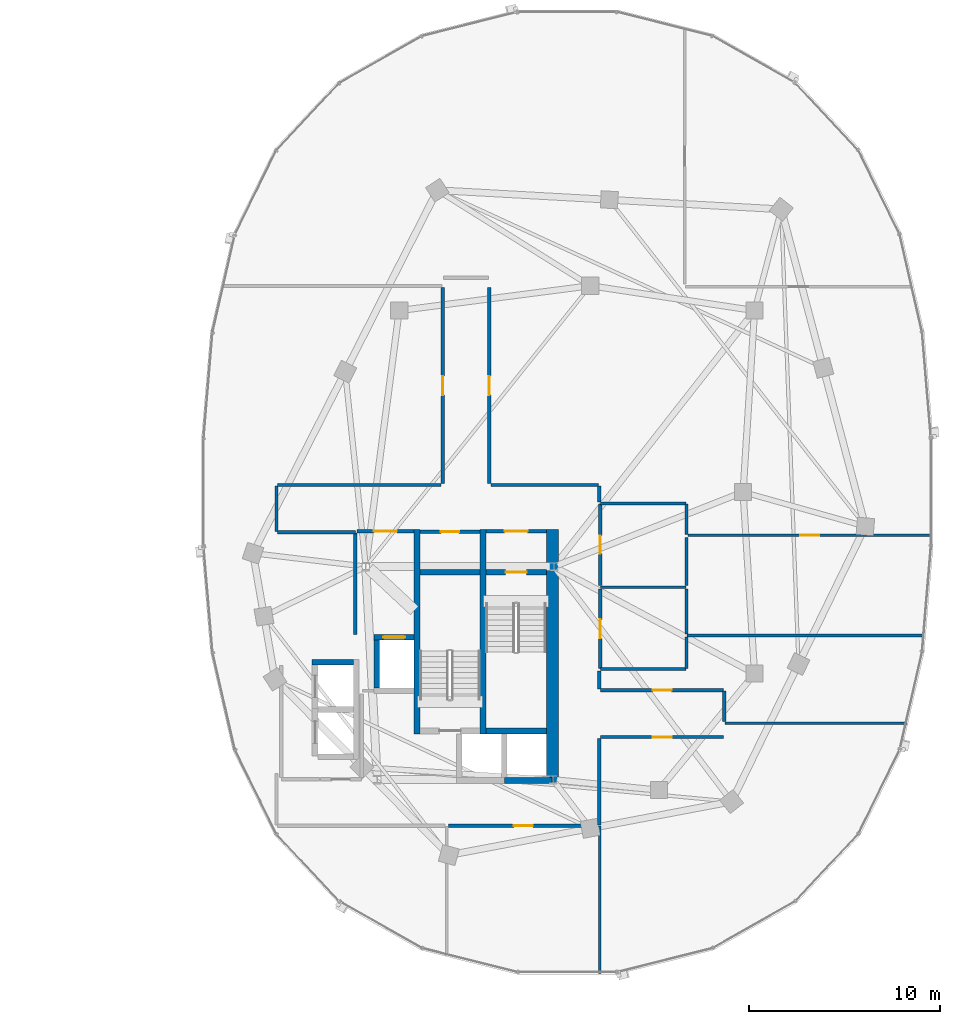
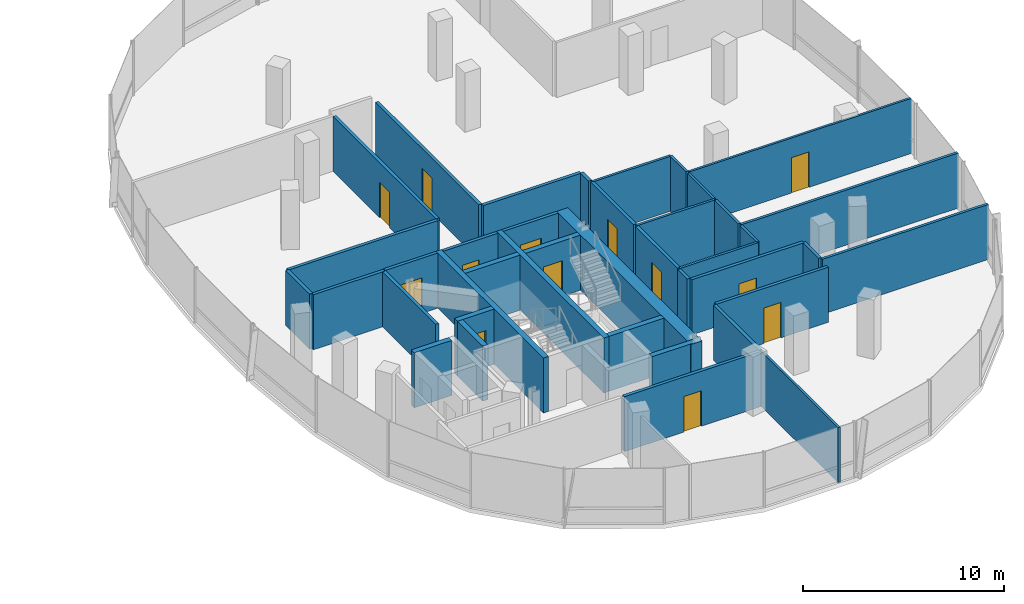
# One storey, part 17 of 25: 40 walls, 13 doors, 13 openings.
"""IFC4 building model written with IfcOpenShell, lengths in metres."""

from ifc_helpers import new_model, si_unit, direction, frame, frame_2d, origin, place, context, subcontext, project, spatial, rectangle, extrude, material, layer, layer_set, type_object, element, fill, save


model = new_model("IFC4")

# Units and contexts
model_context = context("Model", 3, precision=1e-05, world=origin(), true_north=direction((0.0, 1.0)))
body_context = subcontext(model_context, "Body", "Model", "MODEL_VIEW")
ifc_project = project(units=[si_unit("LENGTHUNIT", "METRE"), si_unit("AREAUNIT", "SQUARE_METRE"), si_unit("VOLUMEUNIT", "CUBIC_METRE"), si_unit("PLANEANGLEUNIT", "RADIAN"), si_unit("MASSUNIT", "GRAM", prefix="KILO"), si_unit("THERMODYNAMICTEMPERATUREUNIT", "KELVIN"), si_unit("POWERUNIT", "WATT")], contexts=[model_context])

# Site, building, storey
site_placement = place(None, origin())
site = spatial("IfcSite", under=ifc_project, at=site_placement, CompositionType="ELEMENT")
building_placement = place(site_placement, origin())
building = spatial("IfcBuilding", under=site, at=building_placement, Name="Cundina Bronze Exchange", CompositionType="ELEMENT")
storey_placement = place(building_placement, frame((0.0, 0.0, 213.39990234375)))
storey = spatial("IfcBuildingStorey", under=building, at=storey_placement, Name="L56", CompositionType="ELEMENT", Elevation=213.39990234375)

# Wall
ifc_material_1 = material(Name="Gypsum Fireboard Partition EI120")
ifc_layer_1 = layer(ifc_material_1, 0.179931640625, Name="Gypsum Fireboard Partition EI120")
ifc_layer_set_1 = layer_set([ifc_layer_1], Name="Gypsum Fireboard Partition EI120")
wall_type_1 = type_object("IfcWallType", Name="WL-COR-180", PredefinedType="PARTITIONING", material=ifc_layer_set_1)
wall_1_placement = place(storey_placement, frame((20.889892578125, -7.449951171875, 0.0), z_axis=(0.0, 0.0, 1.0), x_axis=(0.0, 1.0, 0.0)))
element("IfcWall", 1, at=wall_1_placement, inside=storey, type_object=wall_type_1, Name="L56 E Firefighting Lobby Side Wall", PredefinedType="PARTITIONING", context=body_context, shape_type="SweptSolid", body=[
    extrude(rectangle(XDim=5.300048828125, YDim=0.179931640625, at=frame_2d((2.64990234375, 0.0))), origin(), (0.0, 0.0, 1.0), 3.340087890625),
])

# Wall, opening, door
wall_2_placement = place(storey_placement, frame((20.97998046875, -2.06005859375, 0.0), z_axis=(0.0, 0.0, 1.0), x_axis=(1.0, 0.0, 0.0)))
wall_2 = element("IfcWall", 2, at=wall_2_placement, inside=storey, type_object=wall_type_1, Name="L56 E Firefighting Lobby Exit Wall", PredefinedType="PARTITIONING", context=body_context, shape_type="SweptSolid", body=[
    extrude(rectangle(XDim=3.0, YDim=0.179931640625, at=frame_2d((1.5, 0.0))), origin(), (0.0, 0.0, 1.0), 3.340087890625),
])
opening_1_placement = place(wall_2_placement, frame((0.89990234375, 0.0, 0.0)))
opening_1 = element("IfcOpeningElement", 3, at=opening_1_placement, cuts=wall_2, Name="Opening DF-01", PredefinedType="OPENING", context=body_context, shape_type="SweptSolid", body=[
    extrude(rectangle(XDim=1.199951171875, YDim=2.14990234375, at=frame_2d((0.60009765625, 1.074951171875))), frame((0.0, 0.099853515625, 0.0), z_axis=(0.0, -1.0, 0.0), x_axis=(1.0, 0.0, 0.0)), (0.0, 0.0, 1.0), 0.199951171875),
])
ifc_material_2 = material(Name="Steel ASTM A36 Painted", Category="steel")
door_type_1 = type_object("IfcDoorType", Name="DR-FFL-1200", OperationType="NOTDEFINED", PredefinedType="DOOR", material=ifc_material_2)
door_1_placement = place(opening_1_placement, origin())
door_1 = element("IfcDoor", 4, at=door_1_placement, inside=storey, type_object=door_type_1, Name="L56 E Firefighting Lobby Door", OperationType="SINGLE_SWING_LEFT", OverallHeight=2.14990234375, OverallWidth=1.199951171875, PredefinedType="DOOR", context=body_context, shape_type="SweptSolid", body=[
    extrude(rectangle(XDim=1.199951171875, YDim=2.14990234375, at=frame_2d((0.60009765625, 1.074951171875))), frame((0.0, 0.02490234375, 0.0), z_axis=(0.0, -1.0, 0.0), x_axis=(1.0, 0.0, 0.0)), (0.0, 0.0, 1.0), 0.050048828125),
])
fill(opening_1, door_1)

wall_3_placement = place(storey_placement, frame((27.739990234375, -2.06005859375, 0.0), z_axis=(0.0, 0.0, 1.0), x_axis=(1.0, 0.0, 0.0)))
wall_3 = element("IfcWall", 5, at=wall_3_placement, inside=storey, type_object=wall_type_1, Name="L56 E Stair Vestibule Exit Wall", PredefinedType="PARTITIONING", context=body_context, shape_type="SweptSolid", body=[
    extrude(rectangle(XDim=3.159912109375, YDim=0.179931640625, at=frame_2d((1.580078125, 0.0))), origin(), (0.0, 0.0, 1.0), 3.340087890625),
])
opening_2_placement = place(wall_3_placement, frame((0.97998046875, 0.0, 0.0)))
opening_2 = element("IfcOpeningElement", 6, at=opening_2_placement, cuts=wall_3, Name="Opening DF-01", PredefinedType="OPENING", context=body_context, shape_type="SweptSolid", body=[
    extrude(rectangle(XDim=1.199951171875, YDim=2.14990234375, at=frame_2d((0.60009765625, 1.074951171875))), frame((0.0, 0.099853515625, 0.0), z_axis=(0.0, -1.0, 0.0), x_axis=(1.0, 0.0, 0.0)), (0.0, 0.0, 1.0), 0.199951171875),
])
door_2_placement = place(opening_2_placement, origin())
door_2 = element("IfcDoor", 7, at=door_2_placement, inside=storey, type_object=door_type_1, Name="L56 E Stair Vestibule Door", OperationType="SINGLE_SWING_RIGHT", OverallHeight=2.14990234375, OverallWidth=1.199951171875, PredefinedType="DOOR", context=body_context, shape_type="SweptSolid", body=[
    extrude(rectangle(XDim=1.199951171875, YDim=2.14990234375, at=frame_2d((0.60009765625, 1.074951171875))), frame((0.0, 0.02490234375, 0.0), z_axis=(0.0, -1.0, 0.0), x_axis=(1.0, 0.0, 0.0)), (0.0, 0.0, 1.0), 0.050048828125),
])
fill(opening_2, door_2)

wall_4_placement = place(storey_placement, frame((24.300048828125, -2.070068359375, 0.0), z_axis=(0.0, 0.0, 1.0), x_axis=(1.0, 0.0, 0.0)))
wall_4 = element("IfcWall", 8, at=wall_4_placement, inside=storey, type_object=wall_type_1, Name="L56 Interior Partition 043", PredefinedType="PARTITIONING", context=body_context, shape_type="SweptSolid", body=[
    extrude(rectangle(XDim=3.119873046875, YDim=0.179931640625, at=frame_2d((1.56005859375, 0.0))), origin(), (0.0, 0.0, 1.0), 3.340087890625),
])
opening_3_placement = place(wall_4_placement, frame((1.0849609375, 0.0, 0.0)))
opening_3 = element("IfcOpeningElement", 9, at=opening_3_placement, cuts=wall_4, Name="Opening DW-01", PredefinedType="OPENING", context=body_context, shape_type="SweptSolid", body=[
    extrude(rectangle(XDim=0.949951171875, YDim=2.10009765625, at=frame_2d((0.47509765625, 1.050048828125))), frame((0.0, 0.099853515625, 0.0), z_axis=(0.0, -1.0, 0.0), x_axis=(1.0, 0.0, 0.0)), (0.0, 0.0, 1.0), 0.199951171875),
])
ifc_material_3 = material(Name="Solid Andean Oak Timber Grade A", Category="wood")
door_type_2 = type_object("IfcDoorType", Name="DR-WC-950", OperationType="NOTDEFINED", PredefinedType="DOOR", material=ifc_material_3)
door_3_placement = place(opening_3_placement, origin())
door_3 = element("IfcDoor", 10, at=door_3_placement, inside=storey, type_object=door_type_2, Name="L56 Interior Door 043", OperationType="SINGLE_SWING_RIGHT", OverallHeight=2.10009765625, OverallWidth=0.949951171875, PredefinedType="DOOR", context=body_context, shape_type="SweptSolid", body=[
    extrude(rectangle(XDim=0.949951171875, YDim=2.10009765625, at=frame_2d((0.47509765625, 1.050048828125))), frame((0.0, 0.02490234375, 0.0), z_axis=(0.0, -1.0, 0.0), x_axis=(1.0, 0.0, 0.0)), (0.0, 0.0, 1.0), 0.050048828125),
])
fill(opening_3, door_3)

wall_5_placement = place(storey_placement, frame((33.719970703125, -4.8798828125, 0.0), z_axis=(0.0, 0.0, 1.0), x_axis=(0.0, 1.0, 0.0)))
wall_5 = element("IfcWall", 11, at=wall_5_placement, inside=storey, type_object=wall_type_1, Name="L56 Interior Partition 051", PredefinedType="PARTITIONING", context=body_context, shape_type="SweptSolid", body=[
    extrude(rectangle(XDim=4.259765625, YDim=0.179931640625, at=frame_2d((2.1298828125, 0.0))), origin(), (0.0, 0.0, 1.0), 3.340087890625),
])
opening_4_placement = place(wall_5_placement, frame((1.655029296875, 0.0, 0.0)))
opening_4 = element("IfcOpeningElement", 12, at=opening_4_placement, cuts=wall_5, Name="Opening DW-01", PredefinedType="OPENING", context=body_context, shape_type="SweptSolid", body=[
    extrude(rectangle(XDim=0.949951171875, YDim=2.10009765625, at=frame_2d((0.47509765625, 1.050048828125))), frame((0.0, 0.099853515625, 0.0), z_axis=(0.0, -1.0, 0.0), x_axis=(1.0, 0.0, 0.0)), (0.0, 0.0, 1.0), 0.199951171875),
])
door_4_placement = place(opening_4_placement, origin())
door_4 = element("IfcDoor", 13, at=door_4_placement, inside=storey, type_object=door_type_2, Name="L56 Interior Door 051", OperationType="SINGLE_SWING_RIGHT", OverallHeight=2.10009765625, OverallWidth=0.949951171875, PredefinedType="DOOR", context=body_context, shape_type="SweptSolid", body=[
    extrude(rectangle(XDim=0.949951171875, YDim=2.10009765625, at=frame_2d((0.47509765625, 1.050048828125))), frame((0.0, 0.02490234375, 0.0), z_axis=(0.0, -1.0, 0.0), x_axis=(1.0, 0.0, 0.0)), (0.0, 0.0, 1.0), 0.050048828125),
])
fill(opening_4, door_4)

wall_6_placement = place(storey_placement, frame((33.719970703125, -9.239990234375, 0.0), z_axis=(0.0, 0.0, 1.0), x_axis=(0.0, 1.0, 0.0)))
wall_6 = element("IfcWall", 14, at=wall_6_placement, inside=storey, type_object=wall_type_1, Name="L56 Interior Partition 052", PredefinedType="PARTITIONING", context=body_context, shape_type="SweptSolid", body=[
    extrude(rectangle(XDim=4.159912109375, YDim=0.179931640625, at=frame_2d((2.080078125, 0.0))), origin(), (0.0, 0.0, 1.0), 3.340087890625),
])
opening_5_placement = place(wall_6_placement, frame((1.580078125, 0.0, 0.0)))
opening_5 = element("IfcOpeningElement", 15, at=opening_5_placement, cuts=wall_6, Name="Opening DO-01", PredefinedType="OPENING", context=body_context, shape_type="SweptSolid", body=[
    extrude(rectangle(XDim=1.0, YDim=2.14990234375, at=frame_2d((0.5, 1.074951171875))), frame((0.0, 0.099853515625, 0.0), z_axis=(0.0, -1.0, 0.0), x_axis=(1.0, 0.0, 0.0)), (0.0, 0.0, 1.0), 0.199951171875),
])
door_type_3 = type_object("IfcDoorType", Name="DR-OFF-1000", OperationType="NOTDEFINED", PredefinedType="DOOR", material=ifc_material_3)
door_5_placement = place(opening_5_placement, origin())
door_5 = element("IfcDoor", 16, at=door_5_placement, inside=storey, type_object=door_type_3, Name="L56 Interior Door 052", OperationType="SINGLE_SWING_RIGHT", OverallHeight=2.14990234375, OverallWidth=1.0, PredefinedType="DOOR", context=body_context, shape_type="SweptSolid", body=[
    extrude(rectangle(XDim=1.0, YDim=2.14990234375, at=frame_2d((0.5, 1.074951171875))), frame((0.0, 0.02490234375, 0.0), z_axis=(0.0, -1.0, 0.0), x_axis=(1.0, 0.0, 0.0)), (0.0, 0.0, 1.0), 0.050048828125),
])
fill(opening_5, door_5)

wall_7_placement = place(storey_placement, frame((25.7900390625, -17.469970703125, 0.0), z_axis=(0.0, 0.0, 1.0), x_axis=(1.0, 0.0, 0.0)))
wall_7 = element("IfcWall", 17, at=wall_7_placement, inside=storey, type_object=wall_type_1, Name="L56 Interior Partition 058", PredefinedType="PARTITIONING", context=body_context, shape_type="SweptSolid", body=[
    extrude(rectangle(XDim=7.820068359375, YDim=0.179931640625, at=frame_2d((3.91015625, 0.0))), origin(), (0.0, 0.0, 1.0), 3.340087890625),
])
opening_6_placement = place(wall_7_placement, frame((3.409912109375, 0.0, 0.0)))
opening_6 = element("IfcOpeningElement", 18, at=opening_6_placement, cuts=wall_7, Name="Opening DO-01", PredefinedType="OPENING", context=body_context, shape_type="SweptSolid", body=[
    extrude(rectangle(XDim=1.0, YDim=2.14990234375, at=frame_2d((0.5, 1.074951171875))), frame((0.0, 0.099853515625, 0.0), z_axis=(0.0, -1.0, 0.0), x_axis=(1.0, 0.0, 0.0)), (0.0, 0.0, 1.0), 0.199951171875),
])
door_6_placement = place(opening_6_placement, origin())
door_6 = element("IfcDoor", 19, at=door_6_placement, inside=storey, type_object=door_type_3, Name="L56 Interior Door 058", OperationType="SINGLE_SWING_LEFT", OverallHeight=2.14990234375, OverallWidth=1.0, PredefinedType="DOOR", context=body_context, shape_type="SweptSolid", body=[
    extrude(rectangle(XDim=1.0, YDim=2.14990234375, at=frame_2d((0.5, 1.074951171875))), frame((0.0, 0.02490234375, 0.0), z_axis=(0.0, -1.0, 0.0), x_axis=(1.0, 0.0, 0.0)), (0.0, 0.0, 1.0), 0.050048828125),
])
fill(opening_6, door_6)

wall_8_placement = place(storey_placement, frame((33.75, -12.820068359375, 0.0), z_axis=(0.0, 0.0, 1.0), x_axis=(1.0, 0.0, 0.0)))
wall_8 = element("IfcWall", 20, at=wall_8_placement, inside=storey, type_object=wall_type_1, Name="L56 Interior Partition 059", PredefinedType="PARTITIONING", context=body_context, shape_type="SweptSolid", body=[
    extrude(rectangle(XDim=6.428466796875, YDim=0.179931640625, at=frame_2d((3.21435546875, 0.0))), origin(), (0.0, 0.0, 1.0), 3.340087890625),
])
opening_7_placement = place(wall_8_placement, frame((2.714111328125, 0.0, 0.0)))
opening_7 = element("IfcOpeningElement", 21, at=opening_7_placement, cuts=wall_8, Name="Opening DO-01", PredefinedType="OPENING", context=body_context, shape_type="SweptSolid", body=[
    extrude(rectangle(XDim=1.0, YDim=2.14990234375, at=frame_2d((0.5, 1.074951171875))), frame((0.0, 0.099853515625, 0.0), z_axis=(0.0, -1.0, 0.0), x_axis=(1.0, 0.0, 0.0)), (0.0, 0.0, 1.0), 0.199951171875),
])
door_7_placement = place(opening_7_placement, origin())
door_7 = element("IfcDoor", 22, at=door_7_placement, inside=storey, type_object=door_type_3, Name="L56 Interior Door 059", OperationType="SINGLE_SWING_LEFT", OverallHeight=2.14990234375, OverallWidth=1.0, PredefinedType="DOOR", context=body_context, shape_type="SweptSolid", body=[
    extrude(rectangle(XDim=1.0, YDim=2.14990234375, at=frame_2d((0.5, 1.074951171875))), frame((0.0, 0.02490234375, 0.0), z_axis=(0.0, -1.0, 0.0), x_axis=(1.0, 0.0, 0.0)), (0.0, 0.0, 1.0), 0.050048828125),
])
fill(opening_7, door_7)

# Wall
wall_9_placement = place(storey_placement, frame((33.669921875, -17.429931640625, 0.0), z_axis=(0.0, 0.0, 1.0), x_axis=(0.0, 1.0, 0.0)))
element("IfcWall", 23, at=wall_9_placement, inside=storey, type_object=wall_type_1, Name="L56 Interior Partition 060", PredefinedType="PARTITIONING", context=body_context, shape_type="SweptSolid", body=[
    extrude(rectangle(XDim=4.530029296875, YDim=0.179931640625, at=frame_2d((2.26513671875, 0.0))), origin(), (0.0, 0.0, 1.0), 3.340087890625),
])

# Wall, opening, door
wall_10_placement = place(storey_placement, frame((40.178466796875, -10.3798828125, 0.0), z_axis=(0.0, 0.0, 1.0), x_axis=(-1.0, 0.0, 0.0)))
wall_10 = element("IfcWall", 24, at=wall_10_placement, inside=storey, type_object=wall_type_1, Name="L56 Interior Partition 061", PredefinedType="PARTITIONING", context=body_context, shape_type="SweptSolid", body=[
    extrude(rectangle(XDim=6.428466796875, YDim=0.179931640625, at=frame_2d((3.21435546875, 0.0))), origin(), (0.0, 0.0, 1.0), 3.340087890625),
])
opening_8_placement = place(wall_10_placement, frame((2.714111328125, 0.0, 0.0)))
opening_8 = element("IfcOpeningElement", 25, at=opening_8_placement, cuts=wall_10, Name="Opening DO-01", PredefinedType="OPENING", context=body_context, shape_type="SweptSolid", body=[
    extrude(rectangle(XDim=1.0, YDim=2.14990234375, at=frame_2d((0.5, 1.074951171875))), frame((0.0, 0.099853515625, 0.0), z_axis=(0.0, -1.0, 0.0), x_axis=(1.0, 0.0, 0.0)), (0.0, 0.0, 1.0), 0.199951171875),
])
door_8_placement = place(opening_8_placement, origin())
door_8 = element("IfcDoor", 26, at=door_8_placement, inside=storey, type_object=door_type_3, Name="L56 Interior Door 061", OperationType="SINGLE_SWING_RIGHT", OverallHeight=2.14990234375, OverallWidth=1.0, PredefinedType="DOOR", context=body_context, shape_type="SweptSolid", body=[
    extrude(rectangle(XDim=1.0, YDim=2.14990234375, at=frame_2d((0.5, 1.074951171875))), frame((0.0, 0.02490234375, 0.0), z_axis=(0.0, -1.0, 0.0), x_axis=(1.0, 0.0, 0.0)), (0.0, 0.0, 1.0), 0.050048828125),
])
fill(opening_8, door_8)

# Walls
wall_11_placement = place(storey_placement, frame((40.219970703125, -12.010009765625, 0.0), z_axis=(0.0, 0.0, 1.0), x_axis=(0.0, 1.0, 0.0)))
element("IfcWall", 27, at=wall_11_placement, inside=storey, type_object=wall_type_1, Name="L56 Interior Partition 062", PredefinedType="PARTITIONING", context=body_context, shape_type="SweptSolid", body=[
    extrude(rectangle(XDim=1.588623046875, YDim=0.179931640625, at=frame_2d((0.79443359375, 0.0))), origin(), (0.0, 0.0, 1.0), 3.340087890625),
])
wall_12_placement = place(storey_placement, frame((33.669921875, -10.300048828125, 0.0), z_axis=(0.0, 0.0, 1.0), x_axis=(0.0, 1.0, 0.0)))
element("IfcWall", 28, at=wall_12_placement, inside=storey, type_object=wall_type_1, Name="L56 Interior Partition 063", PredefinedType="PARTITIONING", context=body_context, shape_type="SweptSolid", body=[
    extrude(rectangle(XDim=0.94873046875, YDim=0.179931640625, at=frame_2d((0.474365234375, 0.0))), origin(), (0.0, 0.0, 1.0), 3.340087890625),
])

# Wall, opening, door
wall_13_placement = place(storey_placement, frame((25.47998046875, 10.699951171875, 0.0), z_axis=(0.0, 0.0, 1.0), x_axis=(0.0, -1.0, 0.0)))
wall_13 = element("IfcWall", 29, at=wall_13_placement, inside=storey, type_object=wall_type_1, Name="L56 Interior Partition 064", PredefinedType="PARTITIONING", context=body_context, shape_type="SweptSolid", body=[
    extrude(rectangle(XDim=10.25, YDim=0.179931640625, at=frame_2d((5.125, 0.0))), origin(), (0.0, 0.0, 1.0), 3.340087890625),
])
opening_9_placement = place(wall_13_placement, frame((4.625, 0.0, 0.0)))
opening_9 = element("IfcOpeningElement", 30, at=opening_9_placement, cuts=wall_13, Name="Opening DO-01", PredefinedType="OPENING", context=body_context, shape_type="SweptSolid", body=[
    extrude(rectangle(XDim=1.0, YDim=2.14990234375, at=frame_2d((0.5, 1.074951171875))), frame((0.0, 0.099853515625, 0.0), z_axis=(0.0, -1.0, 0.0), x_axis=(1.0, 0.0, 0.0)), (0.0, 0.0, 1.0), 0.199951171875),
])
door_9_placement = place(opening_9_placement, origin())
door_9 = element("IfcDoor", 31, at=door_9_placement, inside=storey, type_object=door_type_3, Name="L56 Interior Door 064", OperationType="SINGLE_SWING_LEFT", OverallHeight=2.14990234375, OverallWidth=1.0, PredefinedType="DOOR", context=body_context, shape_type="SweptSolid", body=[
    extrude(rectangle(XDim=1.0, YDim=2.14990234375, at=frame_2d((0.5, 1.074951171875))), frame((0.0, 0.02490234375, 0.0), z_axis=(0.0, -1.0, 0.0), x_axis=(1.0, 0.0, 0.0)), (0.0, 0.0, 1.0), 0.050048828125),
])
fill(opening_9, door_9)

# Walls
wall_14_placement = place(storey_placement, frame((25.39990234375, 0.3701171875, 0.0), z_axis=(0.0, 0.0, 1.0), x_axis=(-1.0, 0.0, 0.0)))
element("IfcWall", 32, at=wall_14_placement, inside=storey, type_object=wall_type_1, Name="L56 Interior Partition 066", PredefinedType="PARTITIONING", context=body_context, shape_type="SweptSolid", body=[
    extrude(rectangle(XDim=8.578369140625, YDim=0.179931640625, at=frame_2d((4.2890625, 0.0))), origin(), (0.0, 0.0, 1.0), 3.340087890625),
])
wall_15_placement = place(storey_placement, frame((16.821533203125, -2.10009765625, 0.0), z_axis=(0.0, 0.0, 1.0), x_axis=(1.0, 0.0, 0.0)))
element("IfcWall", 33, at=wall_15_placement, inside=storey, type_object=wall_type_1, Name="L56 Interior Partition 067", PredefinedType="PARTITIONING", context=body_context, shape_type="SweptSolid", body=[
    extrude(rectangle(XDim=4.098388671875, YDim=0.179931640625, at=frame_2d((2.04931640625, 0.0))), origin(), (0.0, 0.0, 1.0), 3.340087890625),
])
wall_16_placement = place(storey_placement, frame((16.780029296875, 0.32861328125, 0.0), z_axis=(0.0, 0.0, 1.0), x_axis=(0.0, -1.0, 0.0)))
element("IfcWall", 34, at=wall_16_placement, inside=storey, type_object=wall_type_1, Name="L56 Interior Partition 069", PredefinedType="PARTITIONING", context=body_context, shape_type="SweptSolid", body=[
    extrude(rectangle(XDim=2.38720703125, YDim=0.179931640625, at=frame_2d((1.193603515625, 0.0))), origin(), (0.0, 0.0, 1.0), 3.340087890625),
])

# Wall, opening, door
wall_17_placement = place(storey_placement, frame((27.919921875, 0.449951171875, 0.0), z_axis=(0.0, 0.0, 1.0), x_axis=(0.0, 1.0, 0.0)))
wall_17 = element("IfcWall", 35, at=wall_17_placement, inside=storey, type_object=wall_type_1, Name="L56 Interior Partition 070", PredefinedType="PARTITIONING", context=body_context, shape_type="SweptSolid", body=[
    extrude(rectangle(XDim=10.25, YDim=0.179931640625, at=frame_2d((5.125, 0.0))), origin(), (0.0, 0.0, 1.0), 3.340087890625),
])
opening_10_placement = place(wall_17_placement, frame((4.625, 0.0, 0.0)))
opening_10 = element("IfcOpeningElement", 36, at=opening_10_placement, cuts=wall_17, Name="Opening DO-01", PredefinedType="OPENING", context=body_context, shape_type="SweptSolid", body=[
    extrude(rectangle(XDim=1.0, YDim=2.14990234375, at=frame_2d((0.5, 1.074951171875))), frame((0.0, 0.099853515625, 0.0), z_axis=(0.0, -1.0, 0.0), x_axis=(1.0, 0.0, 0.0)), (0.0, 0.0, 1.0), 0.199951171875),
])
door_10_placement = place(opening_10_placement, origin())
door_10 = element("IfcDoor", 37, at=door_10_placement, inside=storey, type_object=door_type_3, Name="L56 Interior Door 070", OperationType="SINGLE_SWING_RIGHT", OverallHeight=2.14990234375, OverallWidth=1.0, PredefinedType="DOOR", context=body_context, shape_type="SweptSolid", body=[
    extrude(rectangle(XDim=1.0, YDim=2.14990234375, at=frame_2d((0.5, 1.074951171875))), frame((0.0, 0.02490234375, 0.0), z_axis=(0.0, -1.0, 0.0), x_axis=(1.0, 0.0, 0.0)), (0.0, 0.0, 1.0), 0.050048828125),
])
fill(opening_10, door_10)

# Walls
wall_18_placement = place(storey_placement, frame((33.62841796875, 0.3701171875, 0.0), z_axis=(0.0, 0.0, 1.0), x_axis=(-1.0, 0.0, 0.0)))
element("IfcWall", 38, at=wall_18_placement, inside=storey, type_object=wall_type_1, Name="L56 Interior Partition 071", PredefinedType="PARTITIONING", context=body_context, shape_type="SweptSolid", body=[
    extrude(rectangle(XDim=5.62841796875, YDim=0.179931640625, at=frame_2d((2.814208984375, 0.0))), origin(), (0.0, 0.0, 1.0), 3.340087890625),
])
wall_19_placement = place(storey_placement, frame((33.669921875, -0.508544921875, 0.0), z_axis=(0.0, 0.0, 1.0), x_axis=(0.0, 1.0, 0.0)))
element("IfcWall", 39, at=wall_19_placement, inside=storey, type_object=wall_type_1, Name="L56 Interior Partition 072", PredefinedType="PARTITIONING", context=body_context, shape_type="SweptSolid", body=[
    extrude(rectangle(XDim=0.837158203125, YDim=0.179931640625, at=frame_2d((0.41845703125, 0.0))), origin(), (0.0, 0.0, 1.0), 3.340087890625),
])
ifc_material_4 = material(Name="Concrete C50/60", Category="concrete")
ifc_layer_2 = layer(ifc_material_4, 0.64990234375, Name="Concrete C50/60", Category="concrete")
ifc_layer_set_2 = layer_set([ifc_layer_2], Name="Concrete C50/60")
wall_type_2 = type_object("IfcWallType", Name="WL-CORE-650", PredefinedType="SHEAR", material=ifc_layer_set_2)
wall_20_placement = place(storey_placement, frame((31.22509765625, -15.300048828125, 0.0), z_axis=(0.0, 0.0, 1.0), x_axis=(0.0, 1.0, 0.0)))
element("IfcWall", 40, at=wall_20_placement, inside=storey, type_object=wall_type_2, Name="L56 E Primary Core Shear Spine Wall", PredefinedType="SHEAR", context=body_context, shape_type="SweptSolid", body=[
    extrude(rectangle(XDim=13.330078125, YDim=0.64990234375, at=frame_2d((6.6650390625, 0.0))), origin(), (0.0, 0.0, 1.0), 3.340087890625),
])
ifc_material_5 = material(Name="Gypsum Acoustic Partition EI60")
ifc_layer_3 = layer(ifc_material_5, 0.125, Name="Gypsum Acoustic Partition EI60")
ifc_layer_set_3 = layer_set([ifc_layer_3], Name="Gypsum Acoustic Partition EI60")
wall_type_3 = type_object("IfcWallType", Name="WL-OFF-125", PredefinedType="PARTITIONING", material=ifc_layer_set_3)
wall_21_placement = place(storey_placement, frame((33.699951171875, -25.18994140625, 0.0), z_axis=(0.0, 0.0, 1.0), x_axis=(0.0, 1.0, 0.0)))
element("IfcWall", 41, at=wall_21_placement, inside=storey, type_object=wall_type_3, Name="L56 Interior Partition 057", PredefinedType="PARTITIONING", context=body_context, shape_type="SweptSolid", body=[
    extrude(rectangle(XDim=7.719970703125, YDim=0.125, at=frame_2d((3.85986328125, 0.0))), origin(), (0.0, 0.0, 1.0), 3.340087890625),
])

# Wall, opening, door
wall_22_placement = place(storey_placement, frame((38.320068359375, -2.25, 0.0), z_axis=(0.0, 0.0, 1.0), x_axis=(1.0, 0.0, 0.0)))
wall_22 = element("IfcWall", 42, at=wall_22_placement, inside=storey, type_object=wall_type_3, Name="L56 Interior Partition 074", PredefinedType="PARTITIONING", context=body_context, shape_type="SweptSolid", body=[
    extrude(rectangle(XDim=12.72900390625, YDim=0.125, at=frame_2d((6.364501953125, 0.0))), origin(), (0.0, 0.0, 1.0), 3.340087890625),
])
opening_11_placement = place(wall_22_placement, frame((5.864501953125, 0.0, 0.0)))
opening_11 = element("IfcOpeningElement", 43, at=opening_11_placement, cuts=wall_22, Name="Opening DO-01", PredefinedType="OPENING", context=body_context, shape_type="SweptSolid", body=[
    extrude(rectangle(XDim=1.0, YDim=2.14990234375, at=frame_2d((0.5, 1.074951171875))), frame((0.0, 0.072509765625, 0.0), z_axis=(0.0, -1.0, 0.0), x_axis=(1.0, 0.0, 0.0)), (0.0, 0.0, 1.0), 0.14501953125),
])
door_11_placement = place(opening_11_placement, origin())
door_11 = element("IfcDoor", 44, at=door_11_placement, inside=storey, type_object=door_type_3, Name="L56 Interior Door 074", OperationType="SINGLE_SWING_RIGHT", OverallHeight=2.14990234375, OverallWidth=1.0, PredefinedType="DOOR", context=body_context, shape_type="SweptSolid", body=[
    extrude(rectangle(XDim=1.0, YDim=2.14990234375, at=frame_2d((0.5, 1.074951171875))), frame((0.0, 0.02490234375, 0.0), z_axis=(0.0, -1.0, 0.0), x_axis=(1.0, 0.0, 0.0)), (0.0, 0.0, 1.0), 0.050048828125),
])
fill(opening_11, door_11)

# Walls
ifc_layer_4 = layer(ifc_material_4, 0.300048828125, Name="Concrete C50/60", Category="concrete")
ifc_layer_set_4 = layer_set([ifc_layer_4], Name="Concrete C50/60")
wall_type_4 = type_object("IfcWallType", Name="WL-SHFT-300", PredefinedType="SHEAR", material=ifc_layer_set_4)
for number, where, z_axis, x_axis, name in (
    (45, (27.590087890625, -12.64990234375, 0.0), (0.0, 0.0, 1.0), (0.0, 1.0, 0.0), "L56 E Stair Shaft Dividing Shear Wall"),
    (46, (24.1298828125, -12.64990234375, 0.0), (0.0, 0.0, 1.0), (0.0, 1.0, 0.0), "L56 E Stair 2 East Shear Wall"),
):
    element("IfcWall", number, at=place(storey_placement, frame(where, z_axis=z_axis, x_axis=x_axis)), inside=storey, type_object=wall_type_4, Name=name, PredefinedType="SHEAR", context=body_context, shape_type="SweptSolid", body=[
        extrude(rectangle(XDim=10.679931640625, YDim=0.300048828125, at=frame_2d((5.33984375, 0.0))), origin(), (0.0, 0.0, 1.0), 3.340087890625),
    ])

# Wall, opening, door
wall_23_placement = place(storey_placement, frame((27.739990234375, -4.199951171875, 0.0), z_axis=(0.0, 0.0, 1.0), x_axis=(1.0, 0.0, 0.0)))
wall_23 = element("IfcWall", 47, at=wall_23_placement, inside=storey, type_object=wall_type_4, Name="L56 Stair E1 Landing Wall", PredefinedType="SHEAR", context=body_context, shape_type="SweptSolid", body=[
    extrude(rectangle(XDim=3.159912109375, YDim=0.300048828125, at=frame_2d((1.580078125, 0.0))), origin(), (0.0, 0.0, 1.0), 3.340087890625),
])
opening_12_placement = place(wall_23_placement, frame((1.030029296875, 0.0, 0.0)))
opening_12 = element("IfcOpeningElement", 48, at=opening_12_placement, cuts=wall_23, Name="Opening DS-01", PredefinedType="OPENING", context=body_context, shape_type="SweptSolid", body=[
    extrude(rectangle(XDim=1.10009765625, YDim=2.14990234375, at=frame_2d((0.550048828125, 1.074951171875))), frame((0.0, 0.159912109375, 0.0), z_axis=(0.0, -1.0, 0.0), x_axis=(1.0, 0.0, 0.0)), (0.0, 0.0, 1.0), 0.320068359375),
])
door_type_4 = type_object("IfcDoorType", Name="DR-STR-1100", OperationType="NOTDEFINED", PredefinedType="DOOR", material=ifc_material_2)
door_12_placement = place(opening_12_placement, origin())
door_12 = element("IfcDoor", 49, at=door_12_placement, inside=storey, type_object=door_type_4, Name="L56 Smokeproof Stair E1 Door", OperationType="SINGLE_SWING_LEFT", OverallHeight=2.14990234375, OverallWidth=1.10009765625, PredefinedType="DOOR", context=body_context, shape_type="SweptSolid", body=[
    extrude(rectangle(XDim=1.10009765625, YDim=2.14990234375, at=frame_2d((0.550048828125, 1.074951171875))), frame((0.0, 0.02490234375, 0.0), z_axis=(0.0, -1.0, 0.0), x_axis=(1.0, 0.0, 0.0)), (0.0, 0.0, 1.0), 0.050048828125),
])
fill(opening_12, door_12)

# Walls
for number, where, z_axis, x_axis, name in (
    (50, (27.739990234375, -12.5, 0.0), (0.0, 0.0, 1.0), (1.0, 0.0, 0.0), "L56 Stair E1 Far Shaft Wall"),
    (51, (24.280029296875, -4.199951171875, 0.0), (0.0, 0.0, 1.0), (1.0, 0.0, 0.0), "L56 Stair E2 Far Shaft Wall"),
):
    element("IfcWall", number, at=place(storey_placement, frame(where, z_axis=z_axis, x_axis=x_axis)), inside=storey, type_object=wall_type_4, Name=name, PredefinedType="SHEAR", context=body_context, shape_type="SweptSolid", body=[
        extrude(rectangle(XDim=3.159912109375, YDim=0.300048828125, at=frame_2d((1.580078125, 0.0))), origin(), (0.0, 0.0, 1.0), 3.340087890625),
    ])

# Wall, opening, door
wall_24_placement = place(storey_placement, frame((21.8798828125, -7.60009765625, 0.0), z_axis=(0.0, 0.0, 1.0), x_axis=(1.0, 0.0, 0.0)))
wall_24 = element("IfcWall", 52, at=wall_24_placement, inside=storey, type_object=wall_type_4, Name="L56 FFL-E Hoistway Front Wall", PredefinedType="SHEAR", context=body_context, shape_type="SweptSolid", body=[
    extrude(rectangle(XDim=2.10009765625, YDim=0.300048828125, at=frame_2d((1.050048828125, 0.0))), origin(), (0.0, 0.0, 1.0), 3.340087890625),
])
opening_13_placement = place(wall_24_placement, frame((0.47509765625, 0.0, 0.0)))
opening_13 = element("IfcOpeningElement", 53, at=opening_13_placement, cuts=wall_24, Name="Opening LD-01", PredefinedType="OPENING", context=body_context, shape_type="SweptSolid", body=[
    extrude(rectangle(XDim=1.14990234375, YDim=2.199951171875, at=frame_2d((0.574951171875, 1.10009765625))), frame((0.0, 0.159912109375, 0.0), z_axis=(0.0, -1.0, 0.0), x_axis=(1.0, 0.0, 0.0)), (0.0, 0.0, 1.0), 0.320068359375),
])
door_type_5 = type_object("IfcDoorType", Name="DR-LND-1150", OperationType="NOTDEFINED", PredefinedType="TRAPDOOR", material=ifc_material_2)
door_13_placement = place(opening_13_placement, origin())
door_13 = element("IfcDoor", 54, at=door_13_placement, inside=storey, type_object=door_type_5, Name="L56 FFL-E Sliding Landing Door", OperationType="SLIDING_TO_LEFT", OverallHeight=2.199951171875, OverallWidth=1.14990234375, PredefinedType="TRAPDOOR", context=body_context, shape_type="SweptSolid", body=[
    extrude(rectangle(XDim=1.14990234375, YDim=2.199951171875, at=frame_2d((0.574951171875, 1.10009765625))), frame((0.0, 0.02490234375, 0.0), z_axis=(0.0, -1.0, 0.0), x_axis=(1.0, 0.0, 0.0)), (0.0, 0.0, 1.0), 0.050048828125),
])
fill(opening_13, door_13)

# Walls
for number, where, z_axis, x_axis, name in (
    (55, (22.030029296875, -10.25, 0.0), (0.0, 0.0, 1.0), (0.0, 1.0, 0.0), "L56 FFL-E Hoistway Side Wall"),
    (56, (28.699951171875, -15.10009765625, 0.0), (0.0, 0.0, 1.0), (1.0, 0.0, 0.0), "L56 PH-E1 Hoistway Front Wall"),
):
    element("IfcWall", number, at=place(storey_placement, frame(where, z_axis=z_axis, x_axis=x_axis)), inside=storey, type_object=wall_type_4, Name=name, PredefinedType="SHEAR", context=body_context, shape_type="SweptSolid", body=[
        extrude(rectangle(XDim=2.5, YDim=0.300048828125, at=frame_2d((1.25, 0.0))), origin(), (0.0, 0.0, 1.0), 3.340087890625),
    ])
wall_25_placement = place(storey_placement, frame((18.64990234375, -8.89990234375, 0.0), z_axis=(0.0, 0.0, 1.0), x_axis=(1.0, 0.0, 0.0)))
element("IfcWall", 57, at=wall_25_placement, inside=storey, type_object=wall_type_4, Name="L56 E Passenger Bank North Cap Wall", PredefinedType="SHEAR", context=body_context, shape_type="SweptSolid", body=[
    extrude(rectangle(XDim=2.150146484375, YDim=0.300048828125, at=frame_2d((1.0751953125, 0.0))), origin(), (0.0, 0.0, 1.0), 3.340087890625),
])
ifc_layer_5 = layer(ifc_material_5, 0.14990234375, Name="Gypsum Acoustic Partition EI60")
ifc_layer_set_5 = layer_set([ifc_layer_5], Name="Gypsum Acoustic Partition EI60")
wall_type_5 = type_object("IfcWallType", Name="WL-TEN-150", PredefinedType="PARTITIONING", material=ifc_layer_set_5)
wall_26_placement = place(storey_placement, frame((38.27001953125, -7.5, 0.0), z_axis=(0.0, 0.0, 1.0), x_axis=(1.0, 0.0, 0.0)))
element("IfcWall", 58, at=wall_26_placement, inside=storey, type_object=wall_type_5, Name="L56 Interior Partition 054", PredefinedType="PARTITIONING", context=body_context, shape_type="SweptSolid", body=[
    extrude(rectangle(XDim=12.4375, YDim=0.14990234375, at=frame_2d((6.21875, 0.0))), origin(), (0.0, 0.0, 1.0), 3.340087890625),
])
wall_27_placement = place(storey_placement, frame((40.25, -12.10009765625, 0.0), z_axis=(0.0, 0.0, 1.0), x_axis=(1.0, 0.0, 0.0)))
element("IfcWall", 59, at=wall_27_placement, inside=storey, type_object=wall_type_5, Name="L56 Interior Partition 055", PredefinedType="PARTITIONING", context=body_context, shape_type="SweptSolid", body=[
    extrude(rectangle(XDim=9.531982421875, YDim=0.14990234375, at=frame_2d((4.76611328125, 0.0))), origin(), (0.0, 0.0, 1.0), 3.340087890625),
])
ifc_material_6 = material(Name="Moisture-Resistant Masonry Block Grade M15", Category="masonry")
ifc_layer_6 = layer(ifc_material_6, 0.139892578125, Name="Moisture-Resistant Masonry Block Grade M15", Category="masonry")
ifc_layer_set_6 = layer_set([ifc_layer_6], Name="Moisture-Resistant Masonry Block Grade M15")
wall_type_6 = type_object("IfcWallType", Name="WL-WET-140", PredefinedType="PARTITIONING", material=ifc_layer_set_6)
wall_28_placement = place(storey_placement, frame((38.239990234375, -9.239990234375, 0.0), z_axis=(0.0, 0.0, 1.0), x_axis=(0.0, 1.0, 0.0)))
element("IfcWall", 60, at=wall_28_placement, inside=storey, type_object=wall_type_6, Name="L56 Interior Partition 044", PredefinedType="PARTITIONING", context=body_context, shape_type="SweptSolid", body=[
    extrude(rectangle(XDim=1.655029296875, YDim=0.139892578125, at=frame_2d((0.82763671875, 0.0))), origin(), (0.0, 0.0, 1.0), 3.340087890625),
])
wall_29_placement = place(storey_placement, frame((38.239990234375, -7.4150390625, 0.0), z_axis=(0.0, 0.0, 1.0), x_axis=(0.0, 1.0, 0.0)))
element("IfcWall", 61, at=wall_29_placement, inside=storey, type_object=wall_type_6, Name="L56 Interior Partition 045", PredefinedType="PARTITIONING", context=body_context, shape_type="SweptSolid", body=[
    extrude(rectangle(XDim=2.35009765625, YDim=0.139892578125, at=frame_2d((1.175048828125, 0.0))), origin(), (0.0, 0.0, 1.0), 3.340087890625),
])
wall_30_placement = place(storey_placement, frame((38.239990234375, -4.89501953125, 0.0), z_axis=(0.0, 0.0, 1.0), x_axis=(0.0, 1.0, 0.0)))
element("IfcWall", 62, at=wall_30_placement, inside=storey, type_object=wall_type_6, Name="L56 Interior Partition 046", PredefinedType="PARTITIONING", context=body_context, shape_type="SweptSolid", body=[
    extrude(rectangle(XDim=2.510009765625, YDim=0.139892578125, at=frame_2d((1.2548828125, 0.0))), origin(), (0.0, 0.0, 1.0), 3.340087890625),
])
wall_31_placement = place(storey_placement, frame((38.239990234375, -2.215087890625, 0.0), z_axis=(0.0, 0.0, 1.0), x_axis=(0.0, 1.0, 0.0)))
element("IfcWall", 63, at=wall_31_placement, inside=storey, type_object=wall_type_6, Name="L56 Interior Partition 047", PredefinedType="PARTITIONING", context=body_context, shape_type="SweptSolid", body=[
    extrude(rectangle(XDim=1.594970703125, YDim=0.139892578125, at=frame_2d((0.79736328125, 0.0))), origin(), (0.0, 0.0, 1.0), 3.340087890625),
])
for number, where, z_axis, x_axis, name in (
    (64, (33.739990234375, -0.60009765625, 0.0), (0.0, 0.0, 1.0), (1.0, 0.0, 0.0), "L56 Interior Partition 048"),
    (65, (33.739990234375, -4.97998046875, 0.0), (0.0, 0.0, 1.0), (1.0, 0.0, 0.0), "L56 Interior Partition 049"),
    (66, (33.739990234375, -9.260009765625, 0.0), (0.0, 0.0, 1.0), (1.0, 0.0, 0.0), "L56 Interior Partition 050"),
):
    element("IfcWall", number, at=place(storey_placement, frame(where, z_axis=z_axis, x_axis=x_axis)), inside=storey, type_object=wall_type_6, Name=name, PredefinedType="PARTITIONING", context=body_context, shape_type="SweptSolid", body=[
        extrude(rectangle(XDim=4.47998046875, YDim=0.139892578125, at=frame_2d((2.239990234375, 0.0))), origin(), (0.0, 0.0, 1.0), 3.340087890625),
    ])

save(model, "model.ifc")
